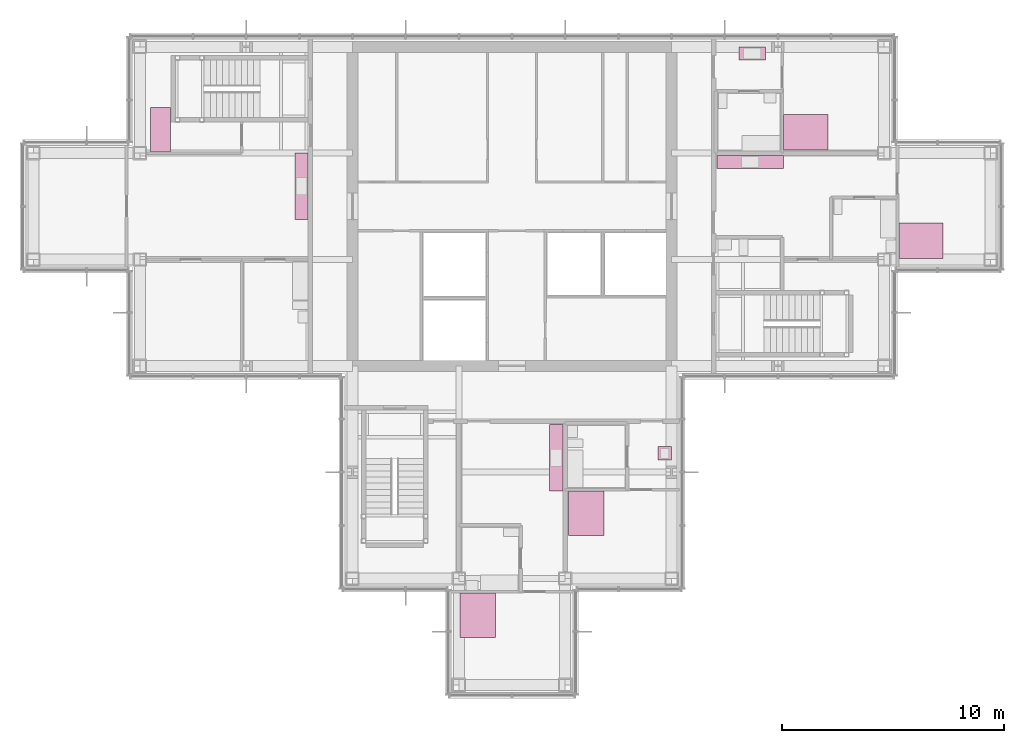
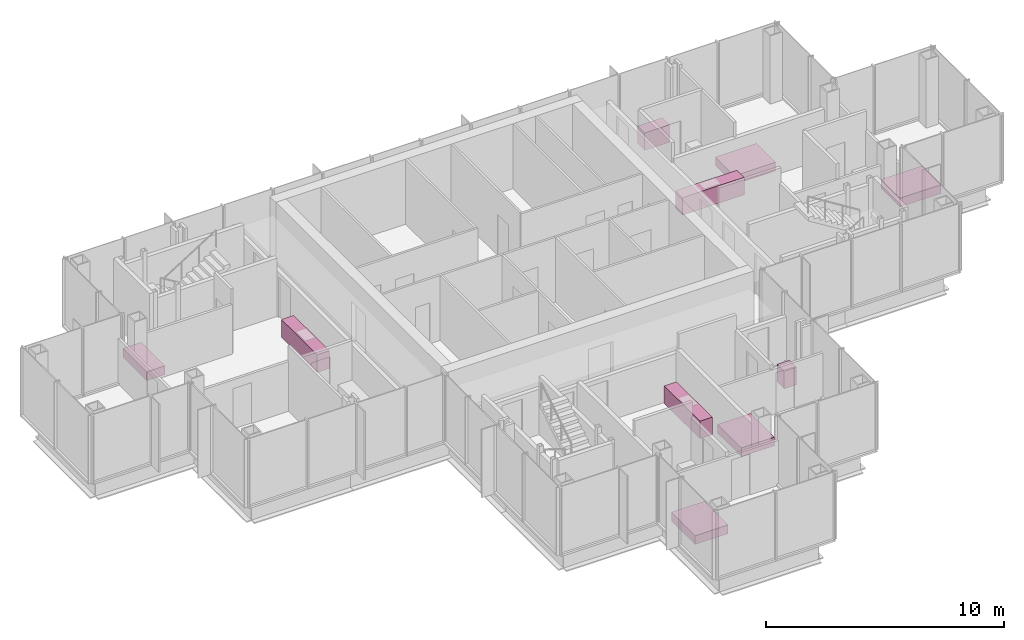
# One storey, part 15 of 15: 10 furniture elements.
"""IFC4 building model written with IfcOpenShell, lengths in metres."""

from ifc_helpers import new_model, si_unit, direction, frame, origin, origin_2d, place, context, subcontext, project, spatial, rectangle, extrude, material, type_object, element, save


model = new_model("IFC4")

# Units and contexts
model_context = context("Model", 3, precision=1e-05, world=origin(), true_north=direction((0.0, 1.0)))
body_context = subcontext(model_context, "Body", "Model", "MODEL_VIEW")
ifc_project = project(units=[si_unit("LENGTHUNIT", "METRE"), si_unit("AREAUNIT", "SQUARE_METRE"), si_unit("VOLUMEUNIT", "CUBIC_METRE"), si_unit("PLANEANGLEUNIT", "RADIAN"), si_unit("MASSUNIT", "GRAM", prefix="KILO")], contexts=[model_context])

# Site, building, storey
site_placement = place(None, origin())
site = spatial("IfcSite", under=ifc_project, at=site_placement, CompositionType="ELEMENT")
building_placement = place(site_placement, origin())
building = spatial("IfcBuilding", under=site, at=building_placement, Name="Kvirike Care Tower", CompositionType="ELEMENT")
storey_placement = place(building_placement, frame((0.0, 0.0, 215.5)))
storey = spatial("IfcBuildingStorey", under=building, at=storey_placement, Name="L59", CompositionType="ELEMENT", Elevation=215.5)

# Furniture
ifc_material_1 = material(Name="Timber", Category="wood")
furniture_type_1 = type_object("IfcFurnitureType", Name="DOUBLE BED 1600 x 2000", AssemblyPlace="FACTORY", PredefinedType="BED", material=ifc_material_1)
for number, where, z_axis, x_axis, name in (
    (1, (20.050048828125, 17.5380859375, 0.0), (0.0, 0.0, 1.0), (1.0, 0.0, 0.0), "Double bed L59-011"),
    (2, (24.949951171875, 22.137939453125, 0.0), (0.0, 0.0, 1.0), (1.0, 0.0, 0.0), "Double bed L59-014"),
    (3, (40.06201171875, 34.449951171875, 0.0), (0.0, 0.0, 1.0), (0.0, 1.0, 0.0), "Double bed L59-020"),
    (4, (34.862060546875, 39.35009765625, 0.0), (0.0, 0.0, 1.0), (0.0, 1.0, 0.0), "Double bed L59-024"),
):
    element("IfcFurniture", number, at=place(storey_placement, frame(where, z_axis=z_axis, x_axis=x_axis)), inside=storey, type_object=furniture_type_1, Name=name, PredefinedType="BED", context=body_context, shape_type="SweptSolid", body=[
        extrude(rectangle(XDim=1.60009765625, YDim=2.0, at=origin_2d()), origin(), (0.0, 0.0, 1.0), 0.449951171875),
    ])
ifc_material_2 = material(Name="Laminated board", Category="wood")
furniture_type_2 = type_object("IfcFurnitureType", Name="KITCHEN UNIT RUN 600", AssemblyPlace="FACTORY", PredefinedType="USERDEFINED", material=ifc_material_2)
for number, where, z_axis, x_axis, name in (
    (5, (12.097900390625, 36.89990234375, 0.0), (0.0, 0.0, 1.0), (0.0, -1.0, 0.0), "Kitchen unit run L59-007"),
    (6, (23.597900390625, 24.64990234375, 0.0), (0.0, 0.0, 1.0), (0.0, -1.0, 0.0), "Kitchen unit run L59-013"),
):
    element("IfcFurniture", number, at=place(storey_placement, frame(where, z_axis=z_axis, x_axis=x_axis)), inside=storey, type_object=furniture_type_2, Name=name, ObjectType="KITCHEN UNIT", PredefinedType="USERDEFINED", context=body_context, shape_type="SweptSolid", body=[
        extrude(rectangle(XDim=3.0, YDim=0.60009765625, at=origin_2d()), origin(), (0.0, 0.0, 1.0), 0.89990234375),
    ])
furniture_1_placement = place(storey_placement, frame((28.498046875, 24.85009765625, 0.0), z_axis=(0.0, 0.0, 1.0), x_axis=(0.0, -1.0, 0.0)))
element("IfcFurniture", 7, at=furniture_1_placement, inside=storey, type_object=furniture_type_2, Name="Kitchen unit run L59-016", ObjectType="KITCHEN UNIT", PredefinedType="USERDEFINED", context=body_context, shape_type="SweptSolid", body=[
    extrude(rectangle(XDim=0.60009765625, YDim=0.60009765625, at=origin_2d()), origin(), (0.0, 0.0, 1.0), 0.89990234375),
])
furniture_2_placement = place(storey_placement, frame((32.35009765625, 37.998046875, 0.0), z_axis=(0.0, 0.0, 1.0), x_axis=(1.0, 0.0, 0.0)))
element("IfcFurniture", 8, at=furniture_2_placement, inside=storey, type_object=furniture_type_2, Name="Kitchen unit run L59-023", ObjectType="KITCHEN UNIT", PredefinedType="USERDEFINED", context=body_context, shape_type="SweptSolid", body=[
    extrude(rectangle(XDim=3.0, YDim=0.60009765625, at=origin_2d()), origin(), (0.0, 0.0, 1.0), 0.89990234375),
])
furniture_3_placement = place(storey_placement, frame((32.449951171875, 42.89794921875, 0.0), z_axis=(0.0, 0.0, 1.0), x_axis=(1.0, 0.0, 0.0)))
element("IfcFurniture", 9, at=furniture_3_placement, inside=storey, type_object=furniture_type_2, Name="Kitchen unit run L59-026", ObjectType="KITCHEN UNIT", PredefinedType="USERDEFINED", context=body_context, shape_type="SweptSolid", body=[
    extrude(rectangle(XDim=1.199951171875, YDim=0.60009765625, at=origin_2d()), origin(), (0.0, 0.0, 1.0), 0.89990234375),
])
ifc_material_3 = material(Name="Timber", Category="wood")
furniture_type_3 = type_object("IfcFurnitureType", Name="SINGLE BED 900 x 2000", AssemblyPlace="FACTORY", PredefinedType="BED", material=ifc_material_3)
furniture_4_placement = place(storey_placement, frame((5.739990234375, 39.4619140625, 0.0), z_axis=(0.0, 0.0, 1.0), x_axis=(-1.0, 0.0, 0.0)))
element("IfcFurniture", 10, at=furniture_4_placement, inside=storey, type_object=furniture_type_3, Name="Single bed L59-003", PredefinedType="BED", context=body_context, shape_type="SweptSolid", body=[
    extrude(rectangle(XDim=0.89990234375, YDim=2.0, at=origin_2d()), origin(), (0.0, 0.0, 1.0), 0.449951171875),
])

save(model, "model.ifc")
